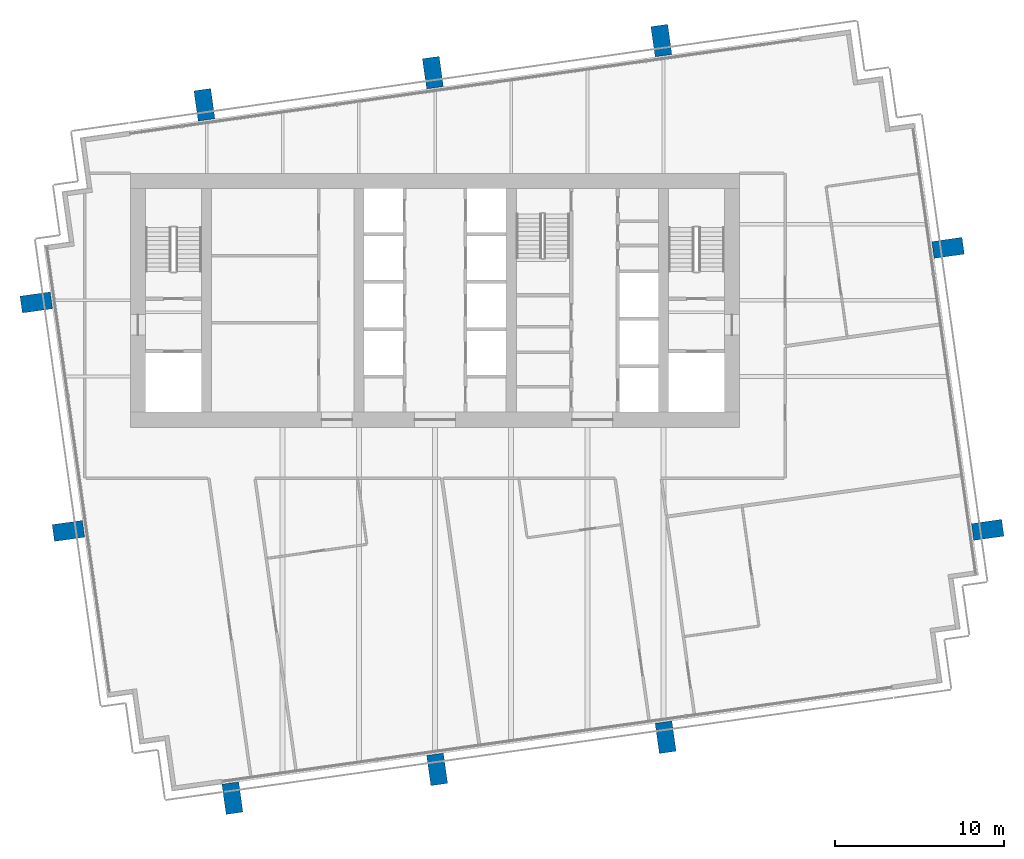
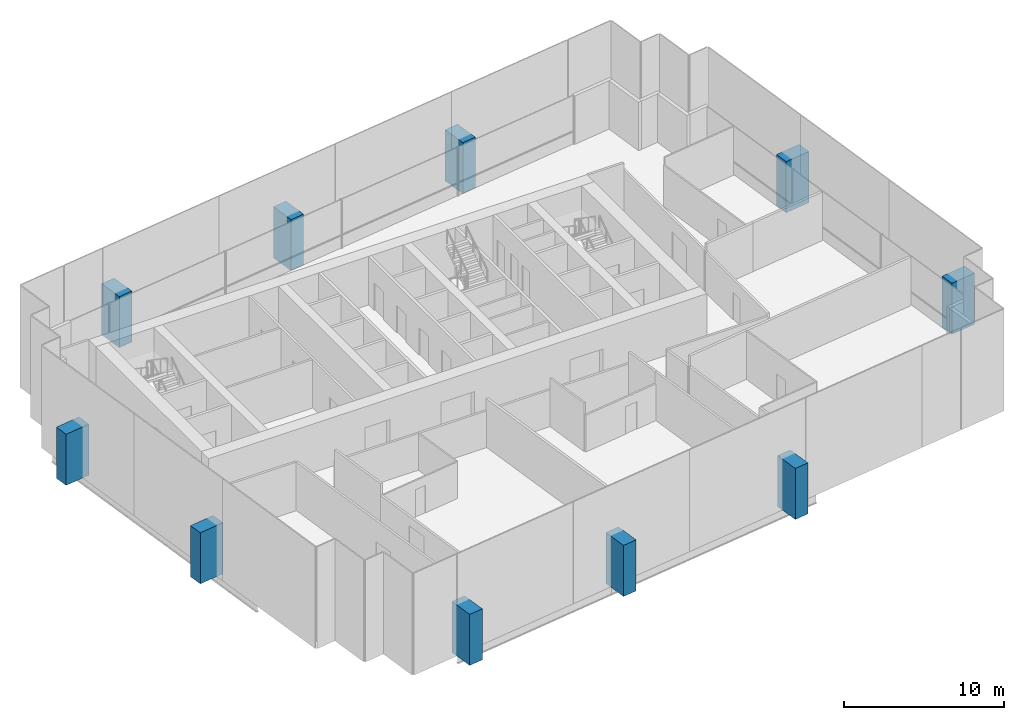
# One storey, part 1 of 17: 10 columns.
"""IFC4 building model written with IfcOpenShell, lengths in metres."""

import ifcopenshell
import ifcopenshell.guid

model = None  # the IFC model being written
_history = None  # IfcOwnerHistory: only IFC2X3 demands one
_inside = {}  # id of a spatial element -> (the spatial element, [elements in it])
_under = {}  # id of a project, library or spatial element -> (it, [spatial elements below it])
_declared = {}  # id of a project -> (the project, [libraries it declares])
_typed = {}  # id of a type object -> (the type object, [elements of that type])
_made_of = {}  # id of a material, layer set ... -> (it, [elements and type objects made of it])


def new_model(schema):
    """Start an empty IFC model of exactly this schema.

    Asked for "IFC4X3", IfcOpenShell would pick the latest addendum, in which some entities
    have other attributes; the version numbers below select the first issue.
    IFC2X3 requires an IfcOwnerHistory on every rooted entity: one is made here for all.
    """
    global model, _history
    if schema == "IFC4X3":
        model = ifcopenshell.file(schema_version=(4, 3, 0, 0))
    else:
        model = ifcopenshell.file(schema=schema)
    _inside.clear()
    _under.clear()
    _declared.clear()
    _typed.clear()
    _made_of.clear()
    _history = None
    if model.schema == "IFC2X3":
        org = make("IfcOrganization", Name="unknown")
        user = make(
            "IfcPersonAndOrganization",
            ThePerson=make("IfcPerson", FamilyName="unknown"),
            TheOrganization=org,
        )
        app = make(
            "IfcApplication",
            ApplicationDeveloper=org,
            Version="unknown",
            ApplicationFullName="unknown",
            ApplicationIdentifier="unknown",
        )
        _history = make(
            "IfcOwnerHistory",
            OwningUser=user,
            OwningApplication=app,
            ChangeAction="ADDED",
            CreationDate=0,
        )
    return model


def make(cls, **values):
    """One entity of the class cls with the attributes given. An attribute that is None is left unset."""
    return model.create_entity(
        cls, **{name: value for name, value in values.items() if value is not None}
    )


def rooted(cls, **values):
    """An entity with a GlobalId (a new one), such as an element, a storey or a relation."""
    return make(cls, GlobalId=ifcopenshell.guid.new(), OwnerHistory=_history, **values)


def si_unit(unit_type, name, prefix=None):
    """IfcSIUnit, for example si_unit("LENGTHUNIT", "METRE", prefix="MILLI")."""
    return make("IfcSIUnit", UnitType=unit_type, Prefix=prefix, Name=name)


def assignment(units):
    """IfcUnitAssignment: the units of a project."""
    return None if units is None else make("IfcUnitAssignment", Units=units)


def point(xyz):
    """IfcCartesianPoint."""
    return None if xyz is None else make("IfcCartesianPoint", Coordinates=xyz)


def direction(xyz):
    """IfcDirection."""
    return None if xyz is None else make("IfcDirection", DirectionRatios=xyz)


def frame(location, z_axis=None, x_axis=None):
    """IfcAxis2Placement3D, a coordinate frame: its origin and axes. An axis left out is left unset."""
    return make(
        "IfcAxis2Placement3D",
        Location=point(location),
        Axis=direction(z_axis),
        RefDirection=direction(x_axis),
    )


def frame_2d(location, x_axis=None):
    """IfcAxis2Placement2D, a coordinate frame in the plane: its origin and x axis."""
    return make(
        "IfcAxis2Placement2D", Location=point(location), RefDirection=direction(x_axis)
    )


def origin():
    """The frame at (0, 0, 0) with its axes left unset."""
    return frame((0.0, 0.0, 0.0))


def origin_2d():
    """The frame at (0, 0) in the plane with its x axis left unset."""
    return frame_2d((0.0, 0.0))


def place(relative_to, where):
    """IfcLocalPlacement: puts the frame where relative to a parent placement (None: the world)."""
    return make(
        "IfcLocalPlacement", PlacementRelTo=relative_to, RelativePlacement=where
    )


def context(
    kind, dimensions, precision=None, world=None, true_north=None, identifier=None
):
    """IfcGeometricRepresentationContext, for example the 3D "Model" context."""
    return make(
        "IfcGeometricRepresentationContext",
        ContextIdentifier=identifier,
        ContextType=kind,
        CoordinateSpaceDimension=dimensions,
        Precision=precision,
        WorldCoordinateSystem=world,
        TrueNorth=true_north,
    )


def subcontext(parent, identifier, kind, view, scale=None):
    """IfcGeometricRepresentationSubContext, for example "Body" below "Model"."""
    return make(
        "IfcGeometricRepresentationSubContext",
        ContextIdentifier=identifier,
        ContextType=kind,
        ParentContext=parent,
        TargetScale=scale,
        TargetView=view,
    )


def project(units=None, contexts=None):
    """IfcProject with its units and contexts."""
    return rooted(
        "IfcProject",
        Name="project",
        RepresentationContexts=contexts,
        UnitsInContext=assignment(units),
    )


def spatial(cls, under=None, at=None, **own):
    """A site, building, storey or space (cls), placed at a placement, below another one or the project."""
    s = rooted(cls, ObjectPlacement=at, **own)
    if under is not None:
        _under.setdefault(under.id(), (under, []))[1].append(s)
    return s


def profile(cls, at=None, kind="AREA", **sizes):
    """A parametric profile (cls). Its sizes go by their IFC names, for example OverallWidth=200.0."""
    return make(cls, ProfileType=kind, Position=at, **sizes)


def rectangle(**sizes):
    """IfcRectangleProfileDef."""
    return profile("IfcRectangleProfileDef", **sizes)


def extrude(swept, where, along, depth):
    """IfcExtrudedAreaSolid: the profile swept, set in the frame where, extruded along a direction by depth."""
    return make(
        "IfcExtrudedAreaSolid",
        SweptArea=swept,
        Position=where,
        ExtrudedDirection=direction(along),
        Depth=depth,
    )


def shape(context_of_items, identifier, shape_type, items):
    """IfcShapeRepresentation: the items that make up one representation, for example the "Body"."""
    return make(
        "IfcShapeRepresentation",
        ContextOfItems=context_of_items,
        RepresentationIdentifier=identifier,
        RepresentationType=shape_type,
        Items=items,
    )


def material(Name=None, Category=None):
    """IfcMaterial."""
    return make("IfcMaterial", Name=Name, Category=Category)


def material_profile(
    of_material, cross_section, Name=None, Category=None, Priority=None
):
    """IfcMaterialProfile: a cross section and its material."""
    return make(
        "IfcMaterialProfile",
        Name=Name,
        Material=of_material,
        Profile=cross_section,
        Priority=Priority,
        Category=Category,
    )


def profile_set(profiles, Name=None, composite=None):
    """IfcMaterialProfileSet."""
    return make(
        "IfcMaterialProfileSet",
        Name=Name,
        MaterialProfiles=profiles,
        CompositeProfile=composite,
    )


def made_of(thing, what):
    """Note that an element or type object is made of a material, layer set ...; save() writes the relation."""
    if what is not None:
        _made_of.setdefault(what.id(), (what, []))[1].append(thing)
    return thing


def type_object(cls, material=None, **own):
    """A type object (cls), such as IfcWallType, which elements share."""
    return made_of(rooted(cls, **own), material)


def element(
    cls,
    number,
    at=None,
    inside=None,
    cuts=None,
    type_object=None,
    material=None,
    context=None,
    identifier="Body",
    shape_type=None,
    held_by="IfcProductDefinitionShape",
    body=None,
    shapes=None,
    **own,
):
    """One element of the class cls, such as IfcWall. Its Tag is "e" and its number.

    at: its placement. inside: the storey or other place that contains it. cuts: it is an
    opening in that element (IfcRelVoidsElement). A single representation is given by context,
    identifier, shape_type and body (its items); several are given by shapes. held_by: the class
    of the entity that holds the representations. save() writes the other relations.
    """
    e = rooted(cls, Tag="e%d" % number, ObjectPlacement=at, **own)
    if body is not None:
        shapes = [shape(context, identifier, shape_type, body)]
    if shapes is not None:
        e.Representation = make(held_by, Representations=shapes)
    if inside is not None:
        _inside.setdefault(inside.id(), (inside, []))[1].append(e)
    if cuts is not None:
        rooted(
            "IfcRelVoidsElement", RelatingBuildingElement=cuts, RelatedOpeningElement=e
        )
    if type_object is not None:
        _typed.setdefault(type_object.id(), (type_object, []))[1].append(e)
    return made_of(e, material)


def aggregate(whole, parts):
    """IfcRelAggregates: a whole, such as a stair, and the parts it consists of."""
    return rooted("IfcRelAggregates", RelatingObject=whole, RelatedObjects=parts)


def save(model, path):
    """Write the relations noted so far, then the file.

    IfcRelAggregates (storeys below a building ...), IfcRelContainedInSpatialStructure (elements
    in a storey), IfcRelDefinesByType, IfcRelAssociatesMaterial and IfcRelDeclares: one each for
    every whole, place, type object, material and project.
    """
    for whole, parts in _under.values():
        aggregate(whole, parts)
    for where, things in _inside.values():
        rooted(
            "IfcRelContainedInSpatialStructure",
            RelatedElements=things,
            RelatingStructure=where,
        )
    for kind, things in _typed.values():
        rooted("IfcRelDefinesByType", RelatedObjects=things, RelatingType=kind)
    for what, things in _made_of.values():
        rooted("IfcRelAssociatesMaterial", RelatedObjects=things, RelatingMaterial=what)
    for by, libraries in _declared.values():
        rooted("IfcRelDeclares", RelatingContext=by, RelatedDefinitions=libraries)
    model.write(path)


model = new_model("IFC4")

# Units and contexts
model_context = context("Model", 3, precision=1e-05, world=origin(), true_north=direction((0.0, 1.0)))
body_context = subcontext(model_context, "Body", "Model", "MODEL_VIEW")
ifc_project = project(units=[si_unit("LENGTHUNIT", "METRE"), si_unit("AREAUNIT", "SQUARE_METRE"), si_unit("VOLUMEUNIT", "CUBIC_METRE"), si_unit("PLANEANGLEUNIT", "RADIAN"), si_unit("MASSUNIT", "GRAM", prefix="KILO")], contexts=[model_context])

# Site, building, storey
site_placement = place(None, origin())
site = spatial("IfcSite", under=ifc_project, at=site_placement, CompositionType="ELEMENT")
building_placement = place(site_placement, origin())
building = spatial("IfcBuilding", under=site, at=building_placement, Name="Rattan Terrace Tower", CompositionType="ELEMENT")
storey_placement = place(building_placement, frame((0.0, 0.0, 236.89990234375)))
storey = spatial("IfcBuildingStorey", under=building, at=storey_placement, Name="L54", CompositionType="ELEMENT", Elevation=236.89990234375)

# Columns
ifc_material = material(Name="Concrete C40/50", Category="concrete")
ifc_material_profile = material_profile(ifc_material, rectangle(XDim=1.0, YDim=1.800048828125, at=origin_2d()), Name="CFT 1800x1000")
ifc_profile_set = profile_set([ifc_material_profile], Name="Concrete C40/50")
column_type = type_object("IfcColumnType", Name="Frame exoskeleton column CFT 1800x1000", PredefinedType="COLUMN", material=ifc_profile_set)
for number, where, z_axis, x_axis, name in (
    (1, (-11.970947265625, -29.416015625, -0.199951171875), (0.0, 0.0, 1.0), (0.990268068742, 0.13917310096, 0.0), "exo-L54-001"),
    (2, (0.125, -27.716064453125, -0.199951171875), (0.0, 0.0, 1.0), (0.990268068742, 0.13917310096, 0.0), "exo-L54-002"),
    (3, (13.625, -25.818115234375, -0.199951171875), (0.0, 0.0, 1.0), (0.990268068742, 0.13917310096, 0.0), "exo-L54-003"),
    (4, (-21.6630859375, -13.625, -0.199951171875), (0.0, 0.0, 1.0), (-0.139190384377, 0.990265639562, 0.0), "exo-L54-004"),
    (5, (32.657958984375, -13.56494140625, -0.199951171875), (0.0, 0.0, 1.0), (-0.139190384377, 0.990265639562, 0.0), "exo-L54-005"),
    (6, (-23.56103515625, -0.125, -0.199951171875), (0.0, 0.0, 1.0), (-0.139190384377, 0.990265639562, 0.0), "exo-L54-006"),
    (7, (30.31494140625, 3.10009765625, -0.199951171875), (0.0, 0.0, 1.0), (-0.139190384377, 0.990265639562, 0.0), "exo-L54-007"),
    (8, (-13.625, 11.552978515625, -0.199951171875), (0.0, 0.0, 1.0), (0.990268068742, 0.13917310096, 0.0), "exo-L54-008"),
    (9, (-0.125, 13.450927734375, -0.199951171875), (0.0, 0.0, 1.0), (0.990268068742, 0.13917310096, 0.0), "exo-L54-009"),
    (10, (13.375, 15.347900390625, -0.199951171875), (0.0, 0.0, 1.0), (0.990268068742, 0.13917310096, 0.0), "exo-L54-010"),
):
    element("IfcColumn", number, at=place(storey_placement, frame(where, z_axis=z_axis, x_axis=x_axis)), inside=storey, type_object=column_type, Name=name, PredefinedType="COLUMN", context=body_context, shape_type="SweptSolid", body=[
        extrude(rectangle(XDim=1.0, YDim=1.800048828125, at=origin_2d()), origin(), (0.0, 0.0, 1.0), 3.900146484375),
    ])

save(model, "model.ifc")
